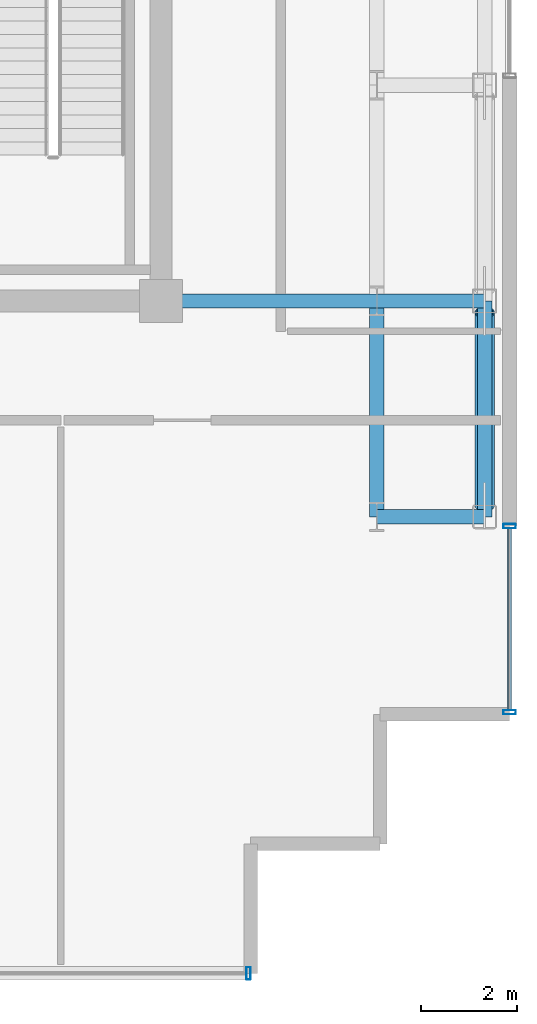
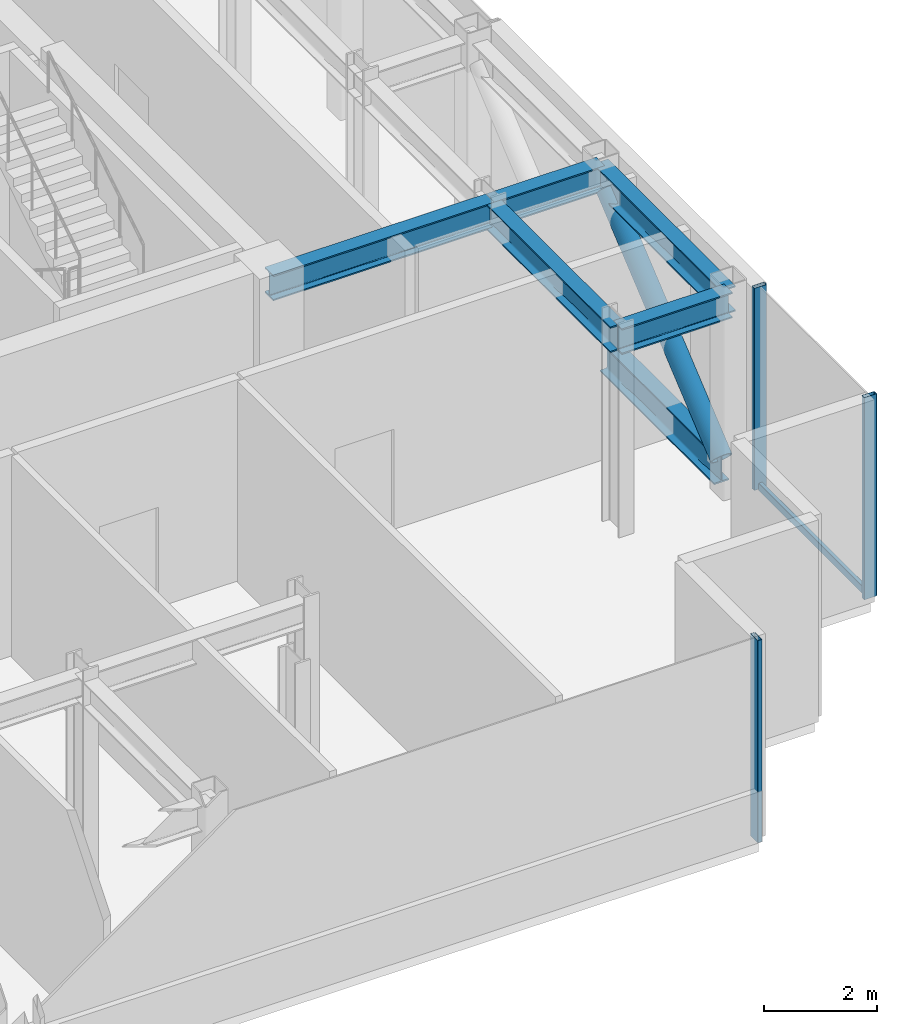
# One storey, part 7 of 18: 6 members, 5 beams, 2 elements without a shape of their own.
"""IFC4 building model written with IfcOpenShell, lengths in metres."""

import ifcopenshell
import ifcopenshell.guid

model = None  # the IFC model being written
_history = None  # IfcOwnerHistory: only IFC2X3 demands one
_inside = {}  # id of a spatial element -> (the spatial element, [elements in it])
_under = {}  # id of a project, library or spatial element -> (it, [spatial elements below it])
_declared = {}  # id of a project -> (the project, [libraries it declares])
_typed = {}  # id of a type object -> (the type object, [elements of that type])
_made_of = {}  # id of a material, layer set ... -> (it, [elements and type objects made of it])


def new_model(schema):
    """Start an empty IFC model of exactly this schema.

    Asked for "IFC4X3", IfcOpenShell would pick the latest addendum, in which some entities
    have other attributes; the version numbers below select the first issue.
    IFC2X3 requires an IfcOwnerHistory on every rooted entity: one is made here for all.
    """
    global model, _history
    if schema == "IFC4X3":
        model = ifcopenshell.file(schema_version=(4, 3, 0, 0))
    else:
        model = ifcopenshell.file(schema=schema)
    _inside.clear()
    _under.clear()
    _declared.clear()
    _typed.clear()
    _made_of.clear()
    _history = None
    if model.schema == "IFC2X3":
        org = make("IfcOrganization", Name="unknown")
        user = make(
            "IfcPersonAndOrganization",
            ThePerson=make("IfcPerson", FamilyName="unknown"),
            TheOrganization=org,
        )
        app = make(
            "IfcApplication",
            ApplicationDeveloper=org,
            Version="unknown",
            ApplicationFullName="unknown",
            ApplicationIdentifier="unknown",
        )
        _history = make(
            "IfcOwnerHistory",
            OwningUser=user,
            OwningApplication=app,
            ChangeAction="ADDED",
            CreationDate=0,
        )
    return model


def make(cls, **values):
    """One entity of the class cls with the attributes given. An attribute that is None is left unset."""
    return model.create_entity(
        cls, **{name: value for name, value in values.items() if value is not None}
    )


def rooted(cls, **values):
    """An entity with a GlobalId (a new one), such as an element, a storey or a relation."""
    return make(cls, GlobalId=ifcopenshell.guid.new(), OwnerHistory=_history, **values)


def si_unit(unit_type, name, prefix=None):
    """IfcSIUnit, for example si_unit("LENGTHUNIT", "METRE", prefix="MILLI")."""
    return make("IfcSIUnit", UnitType=unit_type, Prefix=prefix, Name=name)


def assignment(units):
    """IfcUnitAssignment: the units of a project."""
    return None if units is None else make("IfcUnitAssignment", Units=units)


def point(xyz):
    """IfcCartesianPoint."""
    return None if xyz is None else make("IfcCartesianPoint", Coordinates=xyz)


def direction(xyz):
    """IfcDirection."""
    return None if xyz is None else make("IfcDirection", DirectionRatios=xyz)


def frame(location, z_axis=None, x_axis=None):
    """IfcAxis2Placement3D, a coordinate frame: its origin and axes. An axis left out is left unset."""
    return make(
        "IfcAxis2Placement3D",
        Location=point(location),
        Axis=direction(z_axis),
        RefDirection=direction(x_axis),
    )


def frame_2d(location, x_axis=None):
    """IfcAxis2Placement2D, a coordinate frame in the plane: its origin and x axis."""
    return make(
        "IfcAxis2Placement2D", Location=point(location), RefDirection=direction(x_axis)
    )


def origin():
    """The frame at (0, 0, 0) with its axes left unset."""
    return frame((0.0, 0.0, 0.0))


def origin_2d():
    """The frame at (0, 0) in the plane with its x axis left unset."""
    return frame_2d((0.0, 0.0))


def place(relative_to, where):
    """IfcLocalPlacement: puts the frame where relative to a parent placement (None: the world)."""
    return make(
        "IfcLocalPlacement", PlacementRelTo=relative_to, RelativePlacement=where
    )


def context(
    kind, dimensions, precision=None, world=None, true_north=None, identifier=None
):
    """IfcGeometricRepresentationContext, for example the 3D "Model" context."""
    return make(
        "IfcGeometricRepresentationContext",
        ContextIdentifier=identifier,
        ContextType=kind,
        CoordinateSpaceDimension=dimensions,
        Precision=precision,
        WorldCoordinateSystem=world,
        TrueNorth=true_north,
    )


def subcontext(parent, identifier, kind, view, scale=None):
    """IfcGeometricRepresentationSubContext, for example "Body" below "Model"."""
    return make(
        "IfcGeometricRepresentationSubContext",
        ContextIdentifier=identifier,
        ContextType=kind,
        ParentContext=parent,
        TargetScale=scale,
        TargetView=view,
    )


def project(units=None, contexts=None):
    """IfcProject with its units and contexts."""
    return rooted(
        "IfcProject",
        Name="project",
        RepresentationContexts=contexts,
        UnitsInContext=assignment(units),
    )


def spatial(cls, under=None, at=None, **own):
    """A site, building, storey or space (cls), placed at a placement, below another one or the project."""
    s = rooted(cls, ObjectPlacement=at, **own)
    if under is not None:
        _under.setdefault(under.id(), (under, []))[1].append(s)
    return s


def profile(cls, at=None, kind="AREA", **sizes):
    """A parametric profile (cls). Its sizes go by their IFC names, for example OverallWidth=200.0."""
    return make(cls, ProfileType=kind, Position=at, **sizes)


def hollow_rectangle(**sizes):
    """IfcRectangleHollowProfileDef."""
    return profile("IfcRectangleHollowProfileDef", **sizes)


def hollow_circle(**sizes):
    """IfcCircleHollowProfileDef."""
    return profile("IfcCircleHollowProfileDef", **sizes)


def i_section(**sizes):
    """IfcIShapeProfileDef."""
    return profile("IfcIShapeProfileDef", **sizes)


def extrude(swept, where, along, depth):
    """IfcExtrudedAreaSolid: the profile swept, set in the frame where, extruded along a direction by depth."""
    return make(
        "IfcExtrudedAreaSolid",
        SweptArea=swept,
        Position=where,
        ExtrudedDirection=direction(along),
        Depth=depth,
    )


def shape(context_of_items, identifier, shape_type, items):
    """IfcShapeRepresentation: the items that make up one representation, for example the "Body"."""
    return make(
        "IfcShapeRepresentation",
        ContextOfItems=context_of_items,
        RepresentationIdentifier=identifier,
        RepresentationType=shape_type,
        Items=items,
    )


def source(mapping_origin, context_of_items, identifier, shape_type, items):
    """IfcRepresentationMap: a shape defined once, which mapped items show again and again."""
    return make(
        "IfcRepresentationMap",
        MappingOrigin=mapping_origin,
        MappedRepresentation=shape(context_of_items, identifier, shape_type, items),
    )


def transform(
    local_origin,
    x_axis=None,
    y_axis=None,
    z_axis=None,
    scale=None,
    scale2=None,
    scale3=None,
    uniform=True,
):
    """IfcCartesianTransformationOperator3D, or its non-uniform kind. x_axis, y_axis, z_axis: its Axis1, 2, 3."""
    if uniform:
        return make(
            "IfcCartesianTransformationOperator3D",
            Axis1=direction(x_axis),
            Axis2=direction(y_axis),
            LocalOrigin=point(local_origin),
            Scale=scale,
            Axis3=direction(z_axis),
        )
    return make(
        "IfcCartesianTransformationOperator3DnonUniform",
        Axis1=direction(x_axis),
        Axis2=direction(y_axis),
        LocalOrigin=point(local_origin),
        Scale=scale,
        Axis3=direction(z_axis),
        Scale2=scale2,
        Scale3=scale3,
    )


def mapped(mapping_source, mapping_target):
    """IfcMappedItem: shows the shape of a source again, moved by a transform."""
    return make(
        "IfcMappedItem", MappingSource=mapping_source, MappingTarget=mapping_target
    )


def material(Name=None, Category=None):
    """IfcMaterial."""
    return make("IfcMaterial", Name=Name, Category=Category)


def layer(
    of_material, thickness, ventilated=None, Name=None, Category=None, Priority=None
):
    """IfcMaterialLayer: one layer of a wall or slab, of a material (None: an air gap)."""
    return make(
        "IfcMaterialLayer",
        Material=of_material,
        LayerThickness=thickness,
        IsVentilated=ventilated,
        Name=Name,
        Category=Category,
        Priority=Priority,
    )


def layer_set(layers, Name=None):
    """IfcMaterialLayerSet."""
    return make("IfcMaterialLayerSet", MaterialLayers=layers, LayerSetName=Name)


def material_profile(
    of_material, cross_section, Name=None, Category=None, Priority=None
):
    """IfcMaterialProfile: a cross section and its material."""
    return make(
        "IfcMaterialProfile",
        Name=Name,
        Material=of_material,
        Profile=cross_section,
        Priority=Priority,
        Category=Category,
    )


def profile_set(profiles, Name=None, composite=None):
    """IfcMaterialProfileSet."""
    return make(
        "IfcMaterialProfileSet",
        Name=Name,
        MaterialProfiles=profiles,
        CompositeProfile=composite,
    )


def made_of(thing, what):
    """Note that an element or type object is made of a material, layer set ...; save() writes the relation."""
    if what is not None:
        _made_of.setdefault(what.id(), (what, []))[1].append(thing)
    return thing


def type_object(cls, material=None, **own):
    """A type object (cls), such as IfcWallType, which elements share."""
    return made_of(rooted(cls, **own), material)


def element(
    cls,
    number,
    at=None,
    inside=None,
    cuts=None,
    type_object=None,
    material=None,
    context=None,
    identifier="Body",
    shape_type=None,
    held_by="IfcProductDefinitionShape",
    body=None,
    shapes=None,
    **own,
):
    """One element of the class cls, such as IfcWall. Its Tag is "e" and its number.

    at: its placement. inside: the storey or other place that contains it. cuts: it is an
    opening in that element (IfcRelVoidsElement). A single representation is given by context,
    identifier, shape_type and body (its items); several are given by shapes. held_by: the class
    of the entity that holds the representations. save() writes the other relations.
    """
    e = rooted(cls, Tag="e%d" % number, ObjectPlacement=at, **own)
    if body is not None:
        shapes = [shape(context, identifier, shape_type, body)]
    if shapes is not None:
        e.Representation = make(held_by, Representations=shapes)
    if inside is not None:
        _inside.setdefault(inside.id(), (inside, []))[1].append(e)
    if cuts is not None:
        rooted(
            "IfcRelVoidsElement", RelatingBuildingElement=cuts, RelatedOpeningElement=e
        )
    if type_object is not None:
        _typed.setdefault(type_object.id(), (type_object, []))[1].append(e)
    return made_of(e, material)


def aggregate(whole, parts):
    """IfcRelAggregates: a whole, such as a stair, and the parts it consists of."""
    return rooted("IfcRelAggregates", RelatingObject=whole, RelatedObjects=parts)


def save(model, path):
    """Write the relations noted so far, then the file.

    IfcRelAggregates (storeys below a building ...), IfcRelContainedInSpatialStructure (elements
    in a storey), IfcRelDefinesByType, IfcRelAssociatesMaterial and IfcRelDeclares: one each for
    every whole, place, type object, material and project.
    """
    for whole, parts in _under.values():
        aggregate(whole, parts)
    for where, things in _inside.values():
        rooted(
            "IfcRelContainedInSpatialStructure",
            RelatedElements=things,
            RelatingStructure=where,
        )
    for kind, things in _typed.values():
        rooted("IfcRelDefinesByType", RelatedObjects=things, RelatingType=kind)
    for what, things in _made_of.values():
        rooted("IfcRelAssociatesMaterial", RelatedObjects=things, RelatingMaterial=what)
    for by, libraries in _declared.values():
        rooted("IfcRelDeclares", RelatingContext=by, RelatedDefinitions=libraries)
    model.write(path)


model = new_model("IFC4")

# Units and contexts
model_context = context("Model", 3, precision=1e-05, world=origin(), true_north=direction((0.0, 1.0)))
body_context = subcontext(model_context, "Body", "Model", "MODEL_VIEW")
ifc_project = project(units=[si_unit("LENGTHUNIT", "METRE"), si_unit("AREAUNIT", "SQUARE_METRE"), si_unit("VOLUMEUNIT", "CUBIC_METRE"), si_unit("PLANEANGLEUNIT", "RADIAN"), si_unit("MASSUNIT", "GRAM", prefix="KILO")], contexts=[model_context])

# Site, building, storey
site_placement = place(None, origin())
site = spatial("IfcSite", under=ifc_project, at=site_placement, CompositionType="ELEMENT")
building_placement = place(site_placement, origin())
building = spatial("IfcBuilding", under=site, at=building_placement, Name="Nefas-Gora Pilgrimage Tower", CompositionType="ELEMENT")
storey_placement = place(building_placement, frame((0.0, 0.0, 317.800048828125)))
storey = spatial("IfcBuildingStorey", under=building, at=storey_placement, Name="L80", CompositionType="ELEMENT", Elevation=317.800048828125)

# Beams
ifc_material_1 = material(Name="Steel S355", Category="steel")
ifc_material_profile_1 = material_profile(ifc_material_1, i_section(OverallWidth=0.300048828125, OverallDepth=0.550048828125, WebThickness=0.014892578125, FlangeThickness=0.029052734375, FilletRadius=0.027099609375, at=origin_2d()), Name="HEB 550")
ifc_profile_set_1 = profile_set([ifc_material_profile_1], Name="Steel S355")
beam_type_1 = type_object("IfcBeamType", Name="BM-SPN-HEB400", PredefinedType="SPANDREL", material=ifc_profile_set_1)
shared_shape_1 = source(origin(), body_context, "Body", "SweptSolid", [
    extrude(i_section(OverallWidth=0.300048828125, OverallDepth=0.550048828125, WebThickness=0.014892578125, FlangeThickness=0.029052734375, FilletRadius=0.027099609375, at=origin_2d()), origin(), (0.0, 0.0, 1.0), 4.5),
])
beam_placement = place(storey_placement, frame((18.0, -13.5, 4.074951171875), z_axis=(0.0, 1.0, 0.0), x_axis=(-1.0, 0.0, 0.0)))
element("IfcBeam", 1, at=beam_placement, inside=storey, type_object=beam_type_1, Name="L80 SP-04 beam", PredefinedType="SPANDREL", context=body_context, shape_type="MappedRepresentation", body=[
    mapped(shared_shape_1, transform((0.0, 0.0, 0.0), x_axis=(1.0, 0.0, 0.0), y_axis=(0.0, 1.0, 0.0), z_axis=(0.0, 0.0, 1.0), scale=1.0)),
])
ifc_material_profile_2 = material_profile(ifc_material_1, i_section(OverallWidth=0.300048828125, OverallDepth=0.550048828125, WebThickness=0.014892578125, FlangeThickness=0.029052734375, FilletRadius=0.027099609375, at=origin_2d()), Name="HEB 550")
ifc_profile_set_2 = profile_set([ifc_material_profile_2], Name="Steel S355")
beam_type_2 = type_object("IfcBeamType", Name="BM-GIR-HEB550", PredefinedType="BEAM", material=ifc_profile_set_2)
shared_shape_2 = source(origin(), body_context, "Body", "SweptSolid", [
    extrude(i_section(OverallWidth=0.300048828125, OverallDepth=0.550048828125, WebThickness=0.014892578125, FlangeThickness=0.029052734375, FilletRadius=0.027099609375, at=origin_2d()), origin(), (0.0, 0.0, 1.0), 4.5),
])
for number, where, z_axis, x_axis, name in (
    (2, (11.25, -9.0, 4.074951171875), (1.0, 0.0, 0.0), (0.0, 1.0, 0.0), "L80 G-05 beam"),
    (3, (15.75, -13.5, 4.074951171875), (0.0, 1.0, 0.0), (-1.0, 0.0, 0.0), "L80 G-05 beam"),
):
    element("IfcBeam", number, at=place(storey_placement, frame(where, z_axis=z_axis, x_axis=x_axis)), inside=storey, type_object=beam_type_2, Name=name, PredefinedType="BEAM", context=body_context, shape_type="MappedRepresentation", body=[
        mapped(shared_shape_2, transform((0.0, 0.0, 0.0), x_axis=(1.0, 0.0, 0.0), y_axis=(0.0, 1.0, 0.0), z_axis=(0.0, 0.0, 1.0), scale=1.0)),
    ])
shared_shape_3 = source(origin(), body_context, "Body", "SweptSolid", [
    extrude(i_section(OverallWidth=0.300048828125, OverallDepth=0.550048828125, WebThickness=0.014892578125, FlangeThickness=0.029052734375, FilletRadius=0.027099609375, at=origin_2d()), origin(), (0.0, 0.0, 1.0), 2.25),
])
for number, where, z_axis, x_axis, name in (
    (4, (15.75, -13.5, 4.074951171875), (1.0, 0.0, 0.0), (0.0, 1.0, 0.0), "L80 G-05 beam"),
    (5, (15.75, -9.0, 4.074951171875), (1.0, 0.0, 0.0), (0.0, 1.0, 0.0), "L80 G-05 beam"),
):
    element("IfcBeam", number, at=place(storey_placement, frame(where, z_axis=z_axis, x_axis=x_axis)), inside=storey, type_object=beam_type_2, Name=name, PredefinedType="BEAM", context=body_context, shape_type="MappedRepresentation", body=[
        mapped(shared_shape_3, transform((0.0, 0.0, 0.0), x_axis=(1.0, 0.0, 0.0), y_axis=(0.0, 1.0, 0.0), z_axis=(0.0, 0.0, 1.0), scale=1.0)),
    ])

# Members
ifc_material_2 = material(Name="Steel S460", Category="steel")
ifc_material_profile_3 = material_profile(ifc_material_2, hollow_circle(Radius=0.203125, WallThickness=0.02490234375, at=origin_2d()), Name="CHS 406.4x25")
ifc_profile_set_3 = profile_set([ifc_material_profile_3], Name="Steel S460")
member_type_1 = type_object("IfcMemberType", Name="MEM-BELT-406", PredefinedType="BRACE", material=ifc_profile_set_3)
shared_shape_4 = source(origin(), body_context, "Body", "SweptSolid", [
    extrude(hollow_circle(Radius=0.203125, WallThickness=0.02490234375, at=origin_2d()), origin(), (0.0, 0.0, 1.0), 5.238037109375),
])
member_1_placement = place(storey_placement, frame((18.0, -13.261962890625, 0.54833984375), z_axis=(0.0, 0.768221279597, 0.640184399664), x_axis=(-1.0, 0.0, 0.0)))
element("IfcMember", 6, at=member_1_placement, inside=storey, type_object=member_type_1, Name="L80 Perimeter Belt-Truss Diagonal 5", PredefinedType="BRACE", context=body_context, shape_type="MappedRepresentation", body=[
    mapped(shared_shape_4, transform((0.0, 0.0, 0.0), x_axis=(1.0, 0.0, 0.0), y_axis=(0.0, 1.0, 0.0), z_axis=(0.0, 0.0, 1.0), scale=1.0)),
])
ifc_material_profile_4 = material_profile(ifc_material_2, i_section(OverallWidth=0.300048828125, OverallDepth=0.64990234375, WebThickness=0.01611328125, FlangeThickness=0.031005859375, FilletRadius=0.027099609375, at=origin_2d()), Name="HEB 650")
ifc_profile_set_4 = profile_set([ifc_material_profile_4], Name="Steel S460")
member_type_2 = type_object("IfcMemberType", Name="MEM-BELT-CHORD", PredefinedType="CHORD", material=ifc_profile_set_4)
shared_shape_5 = source(origin(), body_context, "Body", "SweptSolid", [
    extrude(i_section(OverallWidth=0.300048828125, OverallDepth=0.64990234375, WebThickness=0.01611328125, FlangeThickness=0.031005859375, FilletRadius=0.027099609375, at=origin_2d()), origin(), (0.0, 0.0, 1.0), 4.02392578125),
])
member_2_placement = place(storey_placement, frame((18.0, -13.261962890625, 0.349853515625), z_axis=(0.0, 1.0, 0.0), x_axis=(-1.0, 0.0, 0.0)))
element("IfcMember", 7, at=member_2_placement, inside=storey, type_object=member_type_2, Name="L80 Perimeter Belt-Truss Bottom Chord 5", PredefinedType="CHORD", context=body_context, shape_type="MappedRepresentation", body=[
    mapped(shared_shape_5, transform((0.0, 0.0, 0.0), x_axis=(1.0, 0.0, 0.0), y_axis=(0.0, 1.0, 0.0), z_axis=(0.0, 0.0, 1.0), scale=1.0)),
])

# Curtain wall, members
ifc_material_3 = material(Name="Dark ceramic-fritted solar-control aluminium-glass curtain wall", Category="aluminium")
ifc_layer = layer(ifc_material_3, 0.219970703125)
ifc_layer_set = layer_set([ifc_layer], Name="Dark ceramic-fritted solar-control aluminium-glass curtain wall")
curtain_wall_type = type_object("IfcCurtainWallType", Name="CW-SYS-4", PredefinedType="NOTDEFINED", material=ifc_layer_set)
curtain_wall_1_placement = place(storey_placement, origin())
curtain_wall_1 = element("IfcCurtainWall", 8, at=curtain_wall_1_placement, inside=storey, type_object=curtain_wall_type, Name="L80 Unitised Curtain Wall CW4", PredefinedType="NOTDEFINED")
ifc_material_4 = material(Name="Anodised architectural aluminium", Category="aluminium")
ifc_material_profile_5 = material_profile(ifc_material_4, hollow_rectangle(XDim=0.090087890625, YDim=0.260009765625, WallThickness=0.006103515625, InnerFilletRadius=0.006103515625, OuterFilletRadius=0.011962890625, at=origin_2d()), Name="ALU MULLION 90x260")
ifc_profile_set_5 = profile_set([ifc_material_profile_5], Name="Anodised architectural aluminium")
member_type_3 = type_object("IfcMemberType", Name="CWM-MUL-4", PredefinedType="MULLION", material=ifc_profile_set_5)
shared_shape_6 = source(origin(), body_context, "Body", "SweptSolid", [
    extrude(hollow_rectangle(XDim=0.090087890625, YDim=0.260009765625, WallThickness=0.006103515625, InnerFilletRadius=0.006103515625, OuterFilletRadius=0.011962890625, at=origin_2d()), origin(), (0.0, 0.0, 1.0), 4.349853515625),
])
member_3_placement = place(storey_placement, frame((18.52001953125, -17.574951171875, 0.0), z_axis=(0.0, 0.0, 1.0), x_axis=(0.0, 1.0, 0.0)))
member_3 = element("IfcMember", 9, at=member_3_placement, type_object=member_type_3, Name="CW4 Mullion 1", PredefinedType="MULLION", context=body_context, shape_type="MappedRepresentation", body=[
    mapped(shared_shape_6, transform((0.0, 0.0, 0.0), x_axis=(1.0, 0.0, 0.0), y_axis=(0.0, 1.0, 0.0), z_axis=(0.0, 0.0, 1.0), scale=1.0)),
])
member_4_placement = place(storey_placement, frame((18.52001953125, -13.695068359375, 0.0), z_axis=(0.0, 0.0, 1.0), x_axis=(0.0, 1.0, 0.0)))
member_4 = element("IfcMember", 10, at=member_4_placement, type_object=member_type_3, Name="CW4 Mullion 2", PredefinedType="MULLION", context=body_context, shape_type="MappedRepresentation", body=[
    mapped(shared_shape_6, transform((0.0, 0.0, 0.0), x_axis=(1.0, 0.0, 0.0), y_axis=(0.0, 1.0, 0.0), z_axis=(0.0, 0.0, 1.0), scale=1.0)),
])

# Curtain wall, member
curtain_wall_2_placement = place(storey_placement, origin())
curtain_wall_2 = element("IfcCurtainWall", 11, at=curtain_wall_2_placement, inside=storey, type_object=curtain_wall_type, Name="L80 Unitised Curtain Wall CW4", PredefinedType="NOTDEFINED")
member_5_placement = place(storey_placement, frame((13.074951171875, -23.02001953125, 0.0), z_axis=(0.0, 0.0, 1.0), x_axis=(1.0, 0.0, 0.0)))
member_5 = element("IfcMember", 12, at=member_5_placement, type_object=member_type_3, Name="CW4 Mullion 2", PredefinedType="MULLION", context=body_context, shape_type="MappedRepresentation", body=[
    mapped(shared_shape_6, transform((0.0, 0.0, 0.0), x_axis=(1.0, 0.0, 0.0), y_axis=(0.0, 1.0, 0.0), z_axis=(0.0, 0.0, 1.0), scale=1.0)),
])
aggregate(curtain_wall_2, [member_5])

# Member
ifc_material_profile_6 = material_profile(ifc_material_4, hollow_rectangle(XDim=0.080078125, YDim=0.159912109375, WallThickness=0.00439453125, InnerFilletRadius=0.00439453125, OuterFilletRadius=0.009033203125, at=origin_2d()), Name="ALU TRANSOM 80x160")
ifc_profile_set_6 = profile_set([ifc_material_profile_6], Name="Anodised architectural aluminium")
member_type_4 = type_object("IfcMemberType", Name="CWM-TRN-4", PredefinedType="USERDEFINED", material=ifc_profile_set_6)
shared_shape_7 = source(origin(), body_context, "Body", "SweptSolid", [
    extrude(hollow_rectangle(XDim=0.080078125, YDim=0.159912109375, WallThickness=0.00439453125, InnerFilletRadius=0.00439453125, OuterFilletRadius=0.009033203125, at=origin_2d()), origin(), (0.0, 0.0, 1.0), 3.7900390625),
])
member_6_placement = place(storey_placement, frame((18.52001953125, -17.530029296875, 0.050048828125), z_axis=(0.0, 1.0, 0.0), x_axis=(-1.0, 0.0, 0.0)))
member_6 = element("IfcMember", 13, at=member_6_placement, type_object=member_type_4, Name="CW4 Spandrel Transom", ObjectType="TRANSOM", PredefinedType="USERDEFINED", context=body_context, shape_type="MappedRepresentation", body=[
    mapped(shared_shape_7, transform((0.0, 0.0, 0.0), x_axis=(1.0, 0.0, 0.0), y_axis=(0.0, 1.0, 0.0), z_axis=(0.0, 0.0, 1.0), scale=1.0)),
])

aggregate(curtain_wall_1, [member_3, member_4, member_6])

save(model, "model.ifc")
